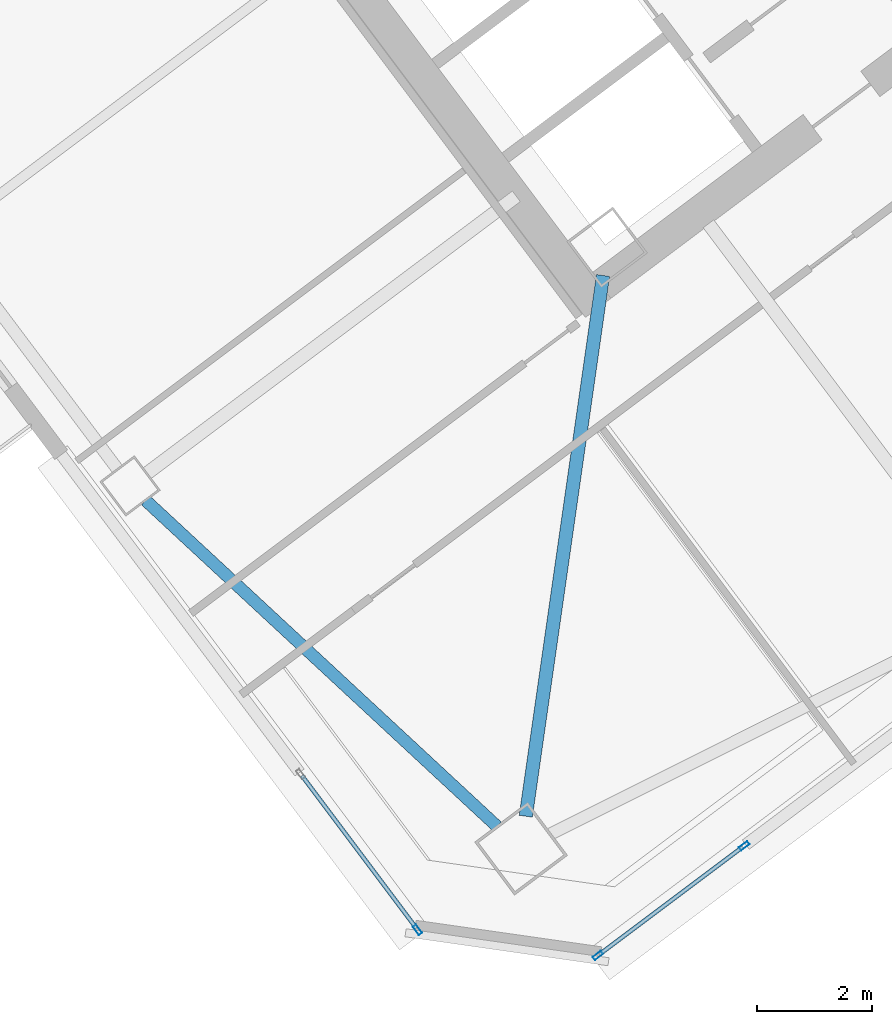
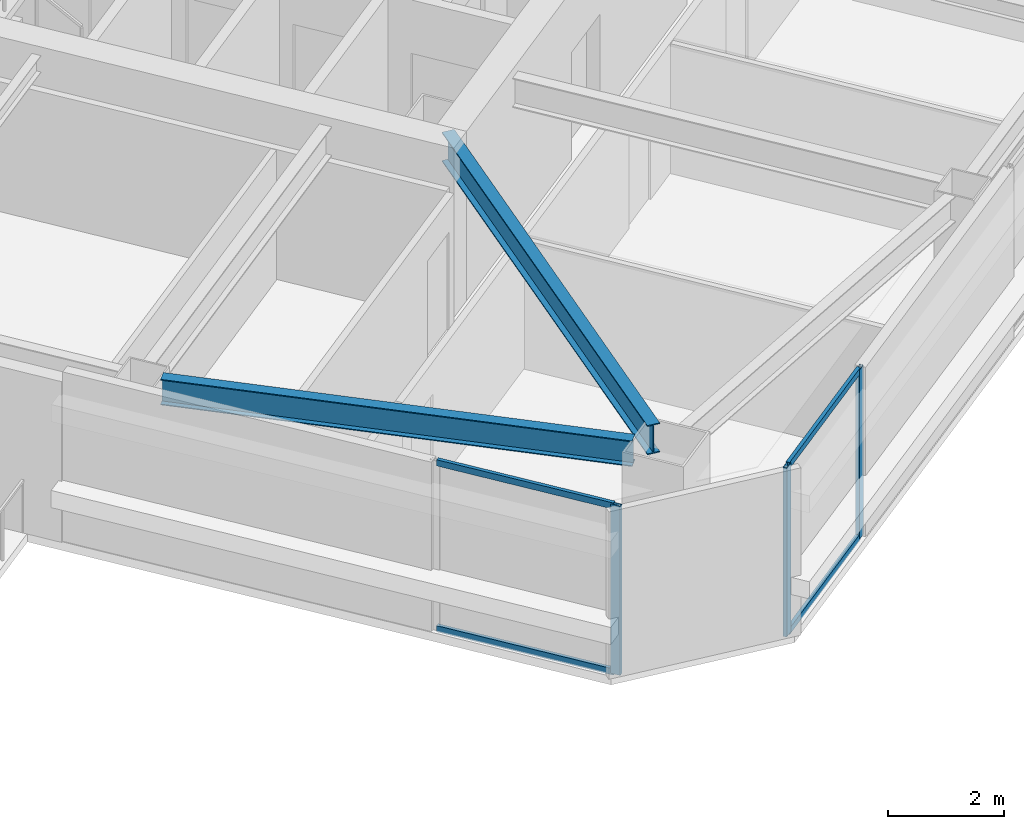
# One storey, part 16 of 41: 7 members, 2 beams, 2 elements without a shape of their own.
"""IFC4 building model written with IfcOpenShell, lengths in metres."""

from ifc_helpers import new_model, si_unit, direction, frame, origin, origin_2d, place, context, subcontext, project, spatial, hollow_rectangle, i_section, extrude, material, material_profile, profile_set, type_object, element, aggregate, save


model = new_model("IFC4")

# Units and contexts
model_context = context("Model", 3, precision=1e-05, world=origin(), true_north=direction((0.0, 1.0)))
body_context = subcontext(model_context, "Body", "Model", "MODEL_VIEW")
ifc_project = project(units=[si_unit("LENGTHUNIT", "METRE"), si_unit("AREAUNIT", "SQUARE_METRE"), si_unit("VOLUMEUNIT", "CUBIC_METRE"), si_unit("PLANEANGLEUNIT", "RADIAN"), si_unit("MASSUNIT", "GRAM", prefix="KILO")], contexts=[model_context])

# Site, building, storey
site_placement = place(None, origin())
site = spatial("IfcSite", under=ifc_project, at=site_placement, CompositionType="ELEMENT")
building_placement = place(site_placement, origin())
building = spatial("IfcBuilding", under=site, at=building_placement, Name="Tashvorn Skyway Center", CompositionType="ELEMENT")
storey_placement = place(building_placement, frame((0.0, 0.0, 174.75)))
storey = spatial("IfcBuildingStorey", under=building, at=storey_placement, Name="L47", CompositionType="ELEMENT", Elevation=174.75)

# Beams
ifc_material_1 = material(Name="Steel ASTM A992 Grade 50", Category="steel")
ifc_material_profile_1 = material_profile(ifc_material_1, i_section(OverallWidth=0.22998046875, OverallDepth=0.616943359375, WebThickness=0.01318359375, FlangeThickness=0.022216796875, at=origin_2d()), Name="W24X94")
ifc_profile_set_1 = profile_set([ifc_material_profile_1], Name="Steel ASTM A992 Grade 50")
beam_type_1 = type_object("IfcBeamType", Name="BM-BEAM-W24X94", PredefinedType="BEAM", material=ifc_profile_set_1)
beam_1_placement = place(storey_placement, frame((111.1806640625, 12.26416015625, 3.0615234375), z_axis=(0.141417747326, 0.989950009213, 0.0), x_axis=(-0.989950009213, 0.141417747326, 0.0)))
element("IfcBeam", 1, at=beam_1_placement, inside=storey, type_object=beam_type_1, Name="Tower 2 L47 Primary Floor Girder MC-SW", PredefinedType="BEAM", context=body_context, shape_type="SweptSolid", body=[
    extrude(i_section(OverallWidth=0.22998046875, OverallDepth=0.616943359375, WebThickness=0.01318359375, FlangeThickness=0.022216796875, at=origin_2d()), origin(), (0.0, 0.0, 1.0), 9.470947265625),
])
ifc_material_profile_2 = material_profile(ifc_material_1, i_section(OverallWidth=0.2109375, OverallDepth=0.5390625, WebThickness=0.01171875, FlangeThickness=0.018798828125, at=origin_2d()), Name="W21X73")
ifc_profile_set_2 = profile_set([ifc_material_profile_2], Name="Steel ASTM A992 Grade 50")
beam_type_2 = type_object("IfcBeamType", Name="BM-SPANDREL-W21X73", PredefinedType="SPANDREL", material=ifc_profile_set_2)
beam_2_placement = place(storey_placement, frame((104.59130859375, 17.73828125, 3.1005859375), z_axis=(0.733101115618, -0.680119661736, 0.0), x_axis=(0.680119661736, 0.733101115618, 0.0)))
element("IfcBeam", 2, at=beam_2_placement, inside=storey, type_object=beam_type_2, Name="Tower 2 L47 Spandrel Beam 12", PredefinedType="SPANDREL", context=body_context, shape_type="SweptSolid", body=[
    extrude(i_section(OverallWidth=0.2109375, OverallDepth=0.5390625, WebThickness=0.01171875, FlangeThickness=0.018798828125, at=origin_2d()), origin(), (0.0, 0.0, 1.0), 8.308349609375),
])

# Curtain wall, members
ifc_material_2 = material(Name="Thermally broken bronze-anodized aluminium 6063-T6", Category="aluminium")
curtain_wall_type = type_object("IfcCurtainWallType", Name="CW-CW-Z4", PredefinedType="NOTDEFINED", material=ifc_material_2)
curtain_wall_1_placement = place(storey_placement, origin())
curtain_wall_1 = element("IfcCurtainWall", 3, at=curtain_wall_1_placement, inside=storey, type_object=curtain_wall_type, Name="Tower 2 L47 South Unitised Curtain Wall Glazing Group 3", PredefinedType="NOTDEFINED")
ifc_material_profile_3 = material_profile(ifc_material_2, hollow_rectangle(XDim=0.070068359375, YDim=0.179931640625, WallThickness=0.00390625, at=origin_2d()), Name="ALU-MULL-70x180")
ifc_profile_set_3 = profile_set([ifc_material_profile_3], Name="Thermally broken bronze-anodized aluminium 6063-T6")
member_type_1 = type_object("IfcMemberType", Name="CWM-CW-Z4", PredefinedType="MULLION", material=ifc_profile_set_3)
member_1_placement = place(storey_placement, frame((114.968017578125, 11.7509765625, 0.0), z_axis=(0.0, 0.0, 1.0), x_axis=(0.600000000002, -0.799999999998, 0.0)))
member_1 = element("IfcMember", 4, at=member_1_placement, type_object=member_type_1, Name="CW-Z4 mullion 1", PredefinedType="MULLION", context=body_context, shape_type="SweptSolid", body=[
    extrude(hollow_rectangle(XDim=0.070068359375, YDim=0.179931640625, WallThickness=0.00390625, at=origin_2d()), origin(), (0.0, 0.0, 1.0), 3.550048828125),
])
member_2_placement = place(storey_placement, frame((112.431884765625, 9.84912109375, 0.0), z_axis=(0.0, 0.0, 1.0), x_axis=(0.600000000002, -0.799999999998, 0.0)))
member_2 = element("IfcMember", 5, at=member_2_placement, type_object=member_type_1, Name="CW-Z4 mullion 2", PredefinedType="MULLION", context=body_context, shape_type="SweptSolid", body=[
    extrude(hollow_rectangle(XDim=0.070068359375, YDim=0.179931640625, WallThickness=0.00390625, at=origin_2d()), origin(), (0.0, 0.0, 1.0), 3.550048828125),
])

# Curtain wall, member
curtain_wall_2_placement = place(storey_placement, origin())
curtain_wall_2 = element("IfcCurtainWall", 6, at=curtain_wall_2_placement, inside=storey, type_object=curtain_wall_type, Name="Tower 2 L47 West Curtain Wall L Glazing Group 1", PredefinedType="NOTDEFINED")
member_3_placement = place(storey_placement, frame((109.302978515625, 10.2958984375, 0.0), z_axis=(0.0, 0.0, 1.0), x_axis=(-0.800003484954, -0.599995353367, 0.0)))
member_3 = element("IfcMember", 7, at=member_3_placement, type_object=member_type_1, Name="CW-Z4 mullion 1", PredefinedType="MULLION", context=body_context, shape_type="SweptSolid", body=[
    extrude(hollow_rectangle(XDim=0.070068359375, YDim=0.179931640625, WallThickness=0.00390625, at=origin_2d()), origin(), (0.0, 0.0, 1.0), 3.550048828125),
])

# Member
ifc_material_profile_4 = material_profile(ifc_material_2, hollow_rectangle(XDim=0.070068359375, YDim=0.1298828125, WallThickness=0.00390625, at=origin_2d()), Name="ALU-TRAN-70x130")
ifc_profile_set_4 = profile_set([ifc_material_profile_4], Name="Thermally broken bronze-anodized aluminium 6063-T6")
member_type_2 = type_object("IfcMemberType", Name="CWT-CW-Z4", PredefinedType="USERDEFINED", material=ifc_profile_set_4)
member_4_placement = place(storey_placement, frame((114.93994140625, 11.72998046875, 0.034912109375), z_axis=(-0.800018901408, -0.599974797295, 0.0), x_axis=(0.599974797295, -0.800018901408, 0.0)))
member_4 = element("IfcMember", 8, at=member_4_placement, type_object=member_type_2, Name="CW-Z4 transom 1.1", ObjectType="TRANSOM", PredefinedType="USERDEFINED", context=body_context, shape_type="SweptSolid", body=[
    extrude(hollow_rectangle(XDim=0.070068359375, YDim=0.1298828125, WallThickness=0.00390625, at=origin_2d()), origin(), (0.0, 0.0, 1.0), 3.099853515625),
])

member_5_placement = place(storey_placement, frame((114.93994140625, 11.72998046875, 3.514892578125), z_axis=(-0.800018901408, -0.599974797295, 0.0), x_axis=(0.599974797295, -0.800018901408, 0.0)))
member_5 = element("IfcMember", 9, at=member_5_placement, type_object=member_type_2, Name="CW-Z4 transom 1.2", ObjectType="TRANSOM", PredefinedType="USERDEFINED", context=body_context, shape_type="SweptSolid", body=[
    extrude(hollow_rectangle(XDim=0.070068359375, YDim=0.1298828125, WallThickness=0.00390625, at=origin_2d()), origin(), (0.0, 0.0, 1.0), 3.099853515625),
])

aggregate(curtain_wall_1, [member_1, member_2, member_4, member_5])

member_6_placement = place(storey_placement, frame((109.281982421875, 10.323974609375, 0.034912109375), z_axis=(-0.599964524789, 0.800026605179, 0.0), x_axis=(-0.800026605179, -0.599964524789, 0.0)))
member_6 = element("IfcMember", 10, at=member_6_placement, type_object=member_type_2, Name="CW-Z4 transom 1.1", ObjectType="TRANSOM", PredefinedType="USERDEFINED", context=body_context, shape_type="SweptSolid", body=[
    extrude(hollow_rectangle(XDim=0.070068359375, YDim=0.1298828125, WallThickness=0.00390625, at=origin_2d()), origin(), (0.0, 0.0, 1.0), 3.303466796875),
])

member_7_placement = place(storey_placement, frame((109.281982421875, 10.323974609375, 3.514892578125), z_axis=(-0.599964524789, 0.800026605179, 0.0), x_axis=(-0.800026605179, -0.599964524789, 0.0)))
member_7 = element("IfcMember", 11, at=member_7_placement, type_object=member_type_2, Name="CW-Z4 transom 1.2", ObjectType="TRANSOM", PredefinedType="USERDEFINED", context=body_context, shape_type="SweptSolid", body=[
    extrude(hollow_rectangle(XDim=0.070068359375, YDim=0.1298828125, WallThickness=0.00390625, at=origin_2d()), origin(), (0.0, 0.0, 1.0), 3.303466796875),
])

aggregate(curtain_wall_2, [member_3, member_6, member_7])

save(model, "model.ifc")
